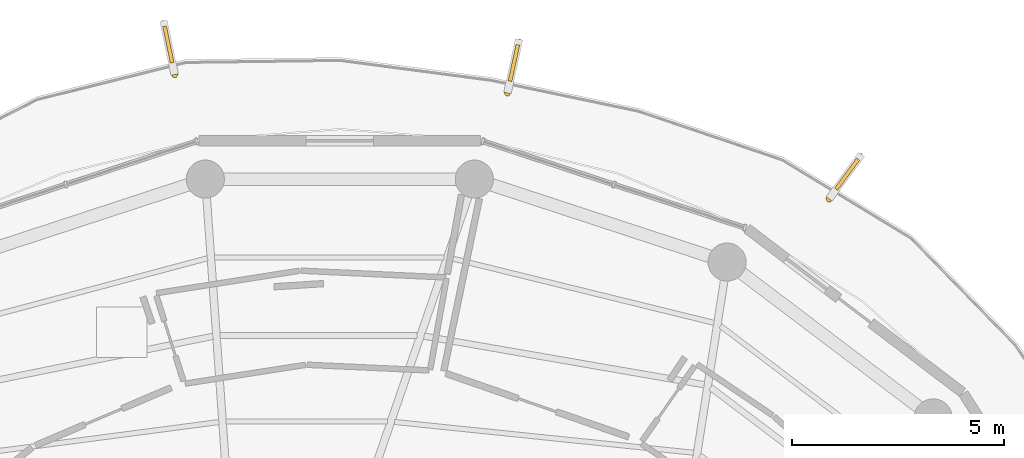
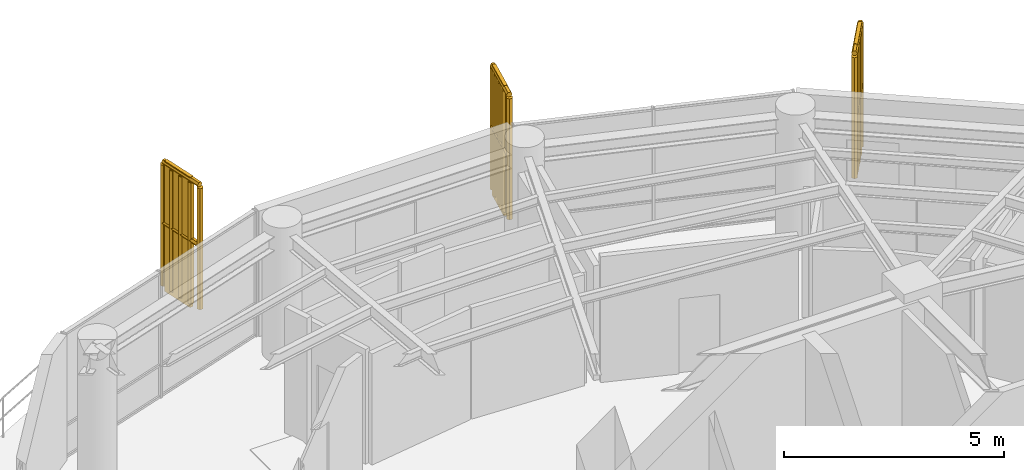
# One storey, part 22 of 22: 3 railings, 3 shading devices.
"""IFC4 building model written with IfcOpenShell, lengths in metres."""

import ifcopenshell
import ifcopenshell.guid

model = None  # the IFC model being written
_history = None  # IfcOwnerHistory: only IFC2X3 demands one
_inside = {}  # id of a spatial element -> (the spatial element, [elements in it])
_under = {}  # id of a project, library or spatial element -> (it, [spatial elements below it])
_declared = {}  # id of a project -> (the project, [libraries it declares])
_typed = {}  # id of a type object -> (the type object, [elements of that type])
_made_of = {}  # id of a material, layer set ... -> (it, [elements and type objects made of it])


def new_model(schema):
    """Start an empty IFC model of exactly this schema.

    Asked for "IFC4X3", IfcOpenShell would pick the latest addendum, in which some entities
    have other attributes; the version numbers below select the first issue.
    IFC2X3 requires an IfcOwnerHistory on every rooted entity: one is made here for all.
    """
    global model, _history
    if schema == "IFC4X3":
        model = ifcopenshell.file(schema_version=(4, 3, 0, 0))
    else:
        model = ifcopenshell.file(schema=schema)
    _inside.clear()
    _under.clear()
    _declared.clear()
    _typed.clear()
    _made_of.clear()
    _history = None
    if model.schema == "IFC2X3":
        org = make("IfcOrganization", Name="unknown")
        user = make(
            "IfcPersonAndOrganization",
            ThePerson=make("IfcPerson", FamilyName="unknown"),
            TheOrganization=org,
        )
        app = make(
            "IfcApplication",
            ApplicationDeveloper=org,
            Version="unknown",
            ApplicationFullName="unknown",
            ApplicationIdentifier="unknown",
        )
        _history = make(
            "IfcOwnerHistory",
            OwningUser=user,
            OwningApplication=app,
            ChangeAction="ADDED",
            CreationDate=0,
        )
    return model


def make(cls, **values):
    """One entity of the class cls with the attributes given. An attribute that is None is left unset."""
    return model.create_entity(
        cls, **{name: value for name, value in values.items() if value is not None}
    )


def rooted(cls, **values):
    """An entity with a GlobalId (a new one), such as an element, a storey or a relation."""
    return make(cls, GlobalId=ifcopenshell.guid.new(), OwnerHistory=_history, **values)


def si_unit(unit_type, name, prefix=None):
    """IfcSIUnit, for example si_unit("LENGTHUNIT", "METRE", prefix="MILLI")."""
    return make("IfcSIUnit", UnitType=unit_type, Prefix=prefix, Name=name)


def assignment(units):
    """IfcUnitAssignment: the units of a project."""
    return None if units is None else make("IfcUnitAssignment", Units=units)


def point(xyz):
    """IfcCartesianPoint."""
    return None if xyz is None else make("IfcCartesianPoint", Coordinates=xyz)


def direction(xyz):
    """IfcDirection."""
    return None if xyz is None else make("IfcDirection", DirectionRatios=xyz)


def frame(location, z_axis=None, x_axis=None):
    """IfcAxis2Placement3D, a coordinate frame: its origin and axes. An axis left out is left unset."""
    return make(
        "IfcAxis2Placement3D",
        Location=point(location),
        Axis=direction(z_axis),
        RefDirection=direction(x_axis),
    )


def frame_2d(location, x_axis=None):
    """IfcAxis2Placement2D, a coordinate frame in the plane: its origin and x axis."""
    return make(
        "IfcAxis2Placement2D", Location=point(location), RefDirection=direction(x_axis)
    )


def origin():
    """The frame at (0, 0, 0) with its axes left unset."""
    return frame((0.0, 0.0, 0.0))


def origin_2d():
    """The frame at (0, 0) in the plane with its x axis left unset."""
    return frame_2d((0.0, 0.0))


def place(relative_to, where):
    """IfcLocalPlacement: puts the frame where relative to a parent placement (None: the world)."""
    return make(
        "IfcLocalPlacement", PlacementRelTo=relative_to, RelativePlacement=where
    )


def context(
    kind, dimensions, precision=None, world=None, true_north=None, identifier=None
):
    """IfcGeometricRepresentationContext, for example the 3D "Model" context."""
    return make(
        "IfcGeometricRepresentationContext",
        ContextIdentifier=identifier,
        ContextType=kind,
        CoordinateSpaceDimension=dimensions,
        Precision=precision,
        WorldCoordinateSystem=world,
        TrueNorth=true_north,
    )


def subcontext(parent, identifier, kind, view, scale=None):
    """IfcGeometricRepresentationSubContext, for example "Body" below "Model"."""
    return make(
        "IfcGeometricRepresentationSubContext",
        ContextIdentifier=identifier,
        ContextType=kind,
        ParentContext=parent,
        TargetScale=scale,
        TargetView=view,
    )


def project(units=None, contexts=None):
    """IfcProject with its units and contexts."""
    return rooted(
        "IfcProject",
        Name="project",
        RepresentationContexts=contexts,
        UnitsInContext=assignment(units),
    )


def spatial(cls, under=None, at=None, **own):
    """A site, building, storey or space (cls), placed at a placement, below another one or the project."""
    s = rooted(cls, ObjectPlacement=at, **own)
    if under is not None:
        _under.setdefault(under.id(), (under, []))[1].append(s)
    return s


def polyline(points):
    """IfcPolyline through the points."""
    return make("IfcPolyline", Points=[point(p) for p in points])


def profile(cls, at=None, kind="AREA", **sizes):
    """A parametric profile (cls). Its sizes go by their IFC names, for example OverallWidth=200.0."""
    return make(cls, ProfileType=kind, Position=at, **sizes)


def rectangle(**sizes):
    """IfcRectangleProfileDef."""
    return profile("IfcRectangleProfileDef", **sizes)


def outline(outer, holes=None, kind="AREA"):
    """IfcArbitraryClosedProfileDef: a profile drawn as a closed curve; with holes, ...WithVoids."""
    if holes is None:
        return make("IfcArbitraryClosedProfileDef", ProfileType=kind, OuterCurve=outer)
    return make(
        "IfcArbitraryProfileDefWithVoids",
        ProfileType=kind,
        OuterCurve=outer,
        InnerCurves=holes,
    )


def extrude(swept, where, along, depth):
    """IfcExtrudedAreaSolid: the profile swept, set in the frame where, extruded along a direction by depth."""
    return make(
        "IfcExtrudedAreaSolid",
        SweptArea=swept,
        Position=where,
        ExtrudedDirection=direction(along),
        Depth=depth,
    )


def shape(context_of_items, identifier, shape_type, items):
    """IfcShapeRepresentation: the items that make up one representation, for example the "Body"."""
    return make(
        "IfcShapeRepresentation",
        ContextOfItems=context_of_items,
        RepresentationIdentifier=identifier,
        RepresentationType=shape_type,
        Items=items,
    )


def source(mapping_origin, context_of_items, identifier, shape_type, items):
    """IfcRepresentationMap: a shape defined once, which mapped items show again and again."""
    return make(
        "IfcRepresentationMap",
        MappingOrigin=mapping_origin,
        MappedRepresentation=shape(context_of_items, identifier, shape_type, items),
    )


def transform(
    local_origin,
    x_axis=None,
    y_axis=None,
    z_axis=None,
    scale=None,
    scale2=None,
    scale3=None,
    uniform=True,
):
    """IfcCartesianTransformationOperator3D, or its non-uniform kind. x_axis, y_axis, z_axis: its Axis1, 2, 3."""
    if uniform:
        return make(
            "IfcCartesianTransformationOperator3D",
            Axis1=direction(x_axis),
            Axis2=direction(y_axis),
            LocalOrigin=point(local_origin),
            Scale=scale,
            Axis3=direction(z_axis),
        )
    return make(
        "IfcCartesianTransformationOperator3DnonUniform",
        Axis1=direction(x_axis),
        Axis2=direction(y_axis),
        LocalOrigin=point(local_origin),
        Scale=scale,
        Axis3=direction(z_axis),
        Scale2=scale2,
        Scale3=scale3,
    )


def mapped(mapping_source, mapping_target):
    """IfcMappedItem: shows the shape of a source again, moved by a transform."""
    return make(
        "IfcMappedItem", MappingSource=mapping_source, MappingTarget=mapping_target
    )


def material(Name=None, Category=None):
    """IfcMaterial."""
    return make("IfcMaterial", Name=Name, Category=Category)


def made_of(thing, what):
    """Note that an element or type object is made of a material, layer set ...; save() writes the relation."""
    if what is not None:
        _made_of.setdefault(what.id(), (what, []))[1].append(thing)
    return thing


def type_object(cls, material=None, **own):
    """A type object (cls), such as IfcWallType, which elements share."""
    return made_of(rooted(cls, **own), material)


def element(
    cls,
    number,
    at=None,
    inside=None,
    cuts=None,
    type_object=None,
    material=None,
    context=None,
    identifier="Body",
    shape_type=None,
    held_by="IfcProductDefinitionShape",
    body=None,
    shapes=None,
    **own,
):
    """One element of the class cls, such as IfcWall. Its Tag is "e" and its number.

    at: its placement. inside: the storey or other place that contains it. cuts: it is an
    opening in that element (IfcRelVoidsElement). A single representation is given by context,
    identifier, shape_type and body (its items); several are given by shapes. held_by: the class
    of the entity that holds the representations. save() writes the other relations.
    """
    e = rooted(cls, Tag="e%d" % number, ObjectPlacement=at, **own)
    if body is not None:
        shapes = [shape(context, identifier, shape_type, body)]
    if shapes is not None:
        e.Representation = make(held_by, Representations=shapes)
    if inside is not None:
        _inside.setdefault(inside.id(), (inside, []))[1].append(e)
    if cuts is not None:
        rooted(
            "IfcRelVoidsElement", RelatingBuildingElement=cuts, RelatedOpeningElement=e
        )
    if type_object is not None:
        _typed.setdefault(type_object.id(), (type_object, []))[1].append(e)
    return made_of(e, material)


def aggregate(whole, parts):
    """IfcRelAggregates: a whole, such as a stair, and the parts it consists of."""
    return rooted("IfcRelAggregates", RelatingObject=whole, RelatedObjects=parts)


def save(model, path):
    """Write the relations noted so far, then the file.

    IfcRelAggregates (storeys below a building ...), IfcRelContainedInSpatialStructure (elements
    in a storey), IfcRelDefinesByType, IfcRelAssociatesMaterial and IfcRelDeclares: one each for
    every whole, place, type object, material and project.
    """
    for whole, parts in _under.values():
        aggregate(whole, parts)
    for where, things in _inside.values():
        rooted(
            "IfcRelContainedInSpatialStructure",
            RelatedElements=things,
            RelatingStructure=where,
        )
    for kind, things in _typed.values():
        rooted("IfcRelDefinesByType", RelatedObjects=things, RelatingType=kind)
    for what, things in _made_of.values():
        rooted("IfcRelAssociatesMaterial", RelatedObjects=things, RelatingMaterial=what)
    for by, libraries in _declared.values():
        rooted("IfcRelDeclares", RelatingContext=by, RelatedDefinitions=libraries)
    model.write(path)


model = new_model("IFC4")

# Units and contexts
model_context = context("Model", 3, precision=1e-05, world=origin(), true_north=direction((0.0, 1.0)))
body_context = subcontext(model_context, "Body", "Model", "MODEL_VIEW")
ifc_project = project(units=[si_unit("LENGTHUNIT", "METRE"), si_unit("AREAUNIT", "SQUARE_METRE"), si_unit("VOLUMEUNIT", "CUBIC_METRE"), si_unit("PLANEANGLEUNIT", "RADIAN"), si_unit("MASSUNIT", "GRAM", prefix="KILO")], contexts=[model_context])

# Site, building, storey
site_placement = place(None, origin())
site = spatial("IfcSite", under=ifc_project, at=site_placement, CompositionType="ELEMENT")
building_placement = place(site_placement, origin())
building = spatial("IfcBuilding", under=site, at=building_placement, Name="Kelanora Arch Commons", CompositionType="ELEMENT")
storey_placement = place(building_placement, frame((0.0, 0.0, 274.949951171875)))
storey = spatial("IfcBuildingStorey", under=building, at=storey_placement, Name="L70", CompositionType="ELEMENT", Elevation=274.949951171875)

# Railings
ifc_material_1 = material(Name="Anodised bronze vertical shading fin rib assembly")
railing_type = type_object("IfcRailingType", Name="RAIL-FIN-BRZ", PredefinedType="BALUSTRADE", material=ifc_material_1)
railing_1_placement = place(storey_placement, frame((85.547607421875, 73.7646484375, -0.02001953125)))
element("IfcRailing", 1, at=railing_1_placement, inside=storey, type_object=railing_type, Name="Sweeping Bronze Vertical Fin Blade L70-03", PredefinedType="BALUSTRADE", context=body_context, shape_type="SweptSolid", body=[
    extrude(outline(polyline([(0.06982421875, 0.0), (0.034912109375, 0.060546875), (-0.034912109375, 0.060546875), (-0.06982421875, 0.0), (-0.034912109375, -0.060546875), (0.034912109375, -0.060546875), (0.06982421875, 0.0)])), frame((0.0, 0.0, 3.419921875), z_axis=(0.591037753595, 0.806643895301, 0.0), x_axis=(-0.806643895301, 0.591037753595, 0.0)), (0.0, 0.0, 1.0), 1.234375),
    extrude(outline(polyline([(0.06982421875, 0.0), (0.034912109375, 0.060546875), (-0.034912109375, 0.060546875), (-0.06982421875, 0.0), (-0.034912109375, -0.060546875), (0.034912109375, -0.060546875), (0.06982421875, 0.0)])), frame((0.0, 0.0, 1.7451171875), z_axis=(0.591037753595, 0.806643895301, 0.0), x_axis=(-0.806643895301, 0.591037753595, 0.0)), (0.0, 0.0, 1.0), 1.234375),
    extrude(outline(polyline([(0.080078125, 0.0), (0.0400390625, 0.0693359375), (-0.0400390625, 0.0693359375), (-0.080078125, 0.0), (-0.0400390625, -0.0693359375), (0.0400390625, -0.0693359375), (0.080078125, 0.0)])), origin(), (0.0, 0.0, 1.0), 3.35009765625),
    extrude(outline(polyline([(0.080078125, 0.0), (0.0400390625, 0.0693359375), (-0.0400390625, 0.0693359375), (-0.080078125, 0.0), (-0.0400390625, -0.0693359375), (0.0400390625, -0.0693359375), (0.080078125, 0.0)])), frame((0.182373046875, 0.2490234375, 0.0)), (0.0, 0.0, 1.0), 3.35009765625),
    extrude(outline(polyline([(0.080078125, 0.0), (0.0400390625, 0.0693359375), (-0.0400390625, 0.0693359375), (-0.080078125, 0.0), (-0.0400390625, -0.0693359375), (0.0400390625, -0.0693359375), (0.080078125, 0.0)])), frame((0.36474609375, 0.497802734375, 0.0)), (0.0, 0.0, 1.0), 3.35009765625),
    extrude(outline(polyline([(0.080078125, 0.0), (0.0400390625, 0.0693359375), (-0.0400390625, 0.0693359375), (-0.080078125, 0.0), (-0.0400390625, -0.0693359375), (0.0400390625, -0.0693359375), (0.080078125, 0.0)])), frame((0.547119140625, 0.74658203125, 0.0)), (0.0, 0.0, 1.0), 3.35009765625),
    extrude(outline(polyline([(0.080078125, 0.0), (0.0400390625, 0.0693359375), (-0.0400390625, 0.0693359375), (-0.080078125, 0.0), (-0.0400390625, -0.0693359375), (0.0400390625, -0.0693359375), (0.080078125, 0.0)])), frame((0.7294921875, 0.99560546875, 0.0)), (0.0, 0.0, 1.0), 3.35009765625),
])
railing_2_placement = place(storey_placement, frame((77.956787109375, 76.26513671875, -0.02001953125)))
element("IfcRailing", 2, at=railing_2_placement, inside=storey, type_object=railing_type, Name="Sweeping Bronze Vertical Fin Blade L70-04", PredefinedType="BALUSTRADE", context=body_context, shape_type="SweptSolid", body=[
    extrude(outline(polyline([(0.06982421875, 0.0), (0.034912109375, 0.060546875), (-0.034912109375, 0.060546875), (-0.06982421875, 0.0), (-0.034912109375, -0.060546875), (0.034912109375, -0.060546875), (0.06982421875, 0.0)])), frame((0.0, 0.0, 3.419921875), z_axis=(0.21169035645, 0.977336785855, 0.0), x_axis=(-0.977336785855, 0.21169035645, 0.0)), (0.0, 0.0, 1.0), 1.234130859375),
    extrude(outline(polyline([(0.06982421875, 0.0), (0.034912109375, 0.060546875), (-0.034912109375, 0.060546875), (-0.06982421875, 0.0), (-0.034912109375, -0.060546875), (0.034912109375, -0.060546875), (0.06982421875, 0.0)])), frame((0.0, 0.0, 1.7451171875), z_axis=(0.21169035645, 0.977336785855, 0.0), x_axis=(-0.977336785855, 0.21169035645, 0.0)), (0.0, 0.0, 1.0), 1.234130859375),
    extrude(outline(polyline([(0.080078125, 0.0), (0.0400390625, 0.0693359375), (-0.0400390625, 0.0693359375), (-0.080078125, 0.0), (-0.0400390625, -0.0693359375), (0.0400390625, -0.0693359375), (0.080078125, 0.0)])), origin(), (0.0, 0.0, 1.0), 3.35009765625),
    extrude(outline(polyline([(0.080078125, 0.0), (0.0400390625, 0.0693359375), (-0.0400390625, 0.0693359375), (-0.080078125, 0.0), (-0.0400390625, -0.0693359375), (0.0400390625, -0.0693359375), (0.080078125, 0.0)])), frame((0.0654296875, 0.301513671875, 0.0)), (0.0, 0.0, 1.0), 3.35009765625),
    extrude(outline(polyline([(0.080078125, 0.0), (0.0400390625, 0.0693359375), (-0.0400390625, 0.0693359375), (-0.080078125, 0.0), (-0.0400390625, -0.0693359375), (0.0400390625, -0.0693359375), (0.080078125, 0.0)])), frame((0.130615234375, 0.60302734375, 0.0)), (0.0, 0.0, 1.0), 3.35009765625),
    extrude(outline(polyline([(0.080078125, 0.0), (0.0400390625, 0.0693359375), (-0.0400390625, 0.0693359375), (-0.080078125, 0.0), (-0.0400390625, -0.0693359375), (0.0400390625, -0.0693359375), (0.080078125, 0.0)])), frame((0.19580078125, 0.904541015625, 0.0)), (0.0, 0.0, 1.0), 3.35009765625),
    extrude(outline(polyline([(0.080078125, 0.0), (0.0400390625, 0.0693359375), (-0.0400390625, 0.0693359375), (-0.080078125, 0.0), (-0.0400390625, -0.0693359375), (0.0400390625, -0.0693359375), (0.080078125, 0.0)])), frame((0.26123046875, 1.2060546875, 0.0)), (0.0, 0.0, 1.0), 3.35009765625),
])
railing_3_placement = place(storey_placement, frame((70.101318359375, 76.699462890625, -0.02001953125)))
element("IfcRailing", 3, at=railing_3_placement, inside=storey, type_object=railing_type, Name="Sweeping Bronze Vertical Fin Blade L70-05", PredefinedType="BALUSTRADE", context=body_context, shape_type="SweptSolid", body=[
    extrude(outline(polyline([(0.06982421875, 0.0), (0.034912109375, 0.060546875), (-0.034912109375, 0.060546875), (-0.06982421875, 0.0), (-0.034912109375, -0.060546875), (0.034912109375, -0.060546875), (0.06982421875, 0.0)])), frame((0.0, 0.0, 3.419921875), z_axis=(-0.204135929444, 0.97894255312, 0.0), x_axis=(-0.97894255312, -0.204135929444, 0.0)), (0.0, 0.0, 1.0), 1.234130859375),
    extrude(outline(polyline([(0.06982421875, 0.0), (0.034912109375, 0.060546875), (-0.034912109375, 0.060546875), (-0.06982421875, 0.0), (-0.034912109375, -0.060546875), (0.034912109375, -0.060546875), (0.06982421875, 0.0)])), frame((0.0, 0.0, 1.7451171875), z_axis=(-0.204135929444, 0.97894255312, 0.0), x_axis=(-0.97894255312, -0.204135929444, 0.0)), (0.0, 0.0, 1.0), 1.234130859375),
    extrude(outline(polyline([(0.080078125, 0.0), (0.0400390625, 0.0693359375), (-0.0400390625, 0.0693359375), (-0.080078125, 0.0), (-0.0400390625, -0.0693359375), (0.0400390625, -0.0693359375), (0.080078125, 0.0)])), origin(), (0.0, 0.0, 1.0), 3.35009765625),
    extrude(outline(polyline([(0.080078125, 0.0), (0.0400390625, 0.0693359375), (-0.0400390625, 0.0693359375), (-0.080078125, 0.0), (-0.0400390625, -0.0693359375), (0.0400390625, -0.0693359375), (0.080078125, 0.0)])), frame((-0.06298828125, 0.302001953125, 0.0)), (0.0, 0.0, 1.0), 3.35009765625),
    extrude(outline(polyline([(0.080078125, 0.0), (0.0400390625, 0.0693359375), (-0.0400390625, 0.0693359375), (-0.080078125, 0.0), (-0.0400390625, -0.0693359375), (0.0400390625, -0.0693359375), (0.080078125, 0.0)])), frame((-0.1259765625, 0.60400390625, 0.0)), (0.0, 0.0, 1.0), 3.35009765625),
    extrude(outline(polyline([(0.080078125, 0.0), (0.0400390625, 0.0693359375), (-0.0400390625, 0.0693359375), (-0.080078125, 0.0), (-0.0400390625, -0.0693359375), (0.0400390625, -0.0693359375), (0.080078125, 0.0)])), frame((-0.18896484375, 0.90625, 0.0)), (0.0, 0.0, 1.0), 3.35009765625),
    extrude(outline(polyline([(0.080078125, 0.0), (0.0400390625, 0.0693359375), (-0.0400390625, 0.0693359375), (-0.080078125, 0.0), (-0.0400390625, -0.0693359375), (0.0400390625, -0.0693359375), (0.080078125, 0.0)])), frame((-0.251953125, 1.208251953125, 0.0)), (0.0, 0.0, 1.0), 3.35009765625),
])

# Shading devices
ifc_material_2 = material(Name="Terracotta ceramic-clad extruded aluminium fin", Category="masonry")
shading_device_type = type_object("IfcShadingDeviceType", Name="SHD-FIN-FLARE", PredefinedType="USERDEFINED", material=ifc_material_2)
shared_shape = source(origin(), body_context, "Body", "SweptSolid", [
    extrude(rectangle(XDim=0.8798828125, YDim=0.090087890625, at=origin_2d()), origin(), (0.0, 0.0, 1.0), 3.610107421875),
])
for number, where, z_axis, x_axis, name in (
    (4, (85.97314453125, 74.345458984375, -0.14013671875), (0.0, 0.0, 1.0), (0.59088731392, 0.806754102716, 0.0), "Sweeping Terracotta Fin L70-03"),
    (5, (78.109130859375, 76.96875, -0.14013671875), (0.0, 0.0, 1.0), (0.211665966084, 0.97734206847, 0.0), "Sweeping Terracotta Fin L70-04"),
    (6, (69.954345703125, 77.404296875, -0.14013671875), (0.0, 0.0, 1.0), (-0.204154350213, 0.978938711712, 0.0), "Sweeping Terracotta Fin L70-05"),
):
    element("IfcShadingDevice", number, at=place(storey_placement, frame(where, z_axis=z_axis, x_axis=x_axis)), inside=storey, type_object=shading_device_type, Name=name, ObjectType="FIN", PredefinedType="USERDEFINED", context=body_context, shape_type="MappedRepresentation", body=[
        mapped(shared_shape, transform((0.0, 0.0, 0.0), scale=1.0)),
    ])

save(model, "model.ifc")
